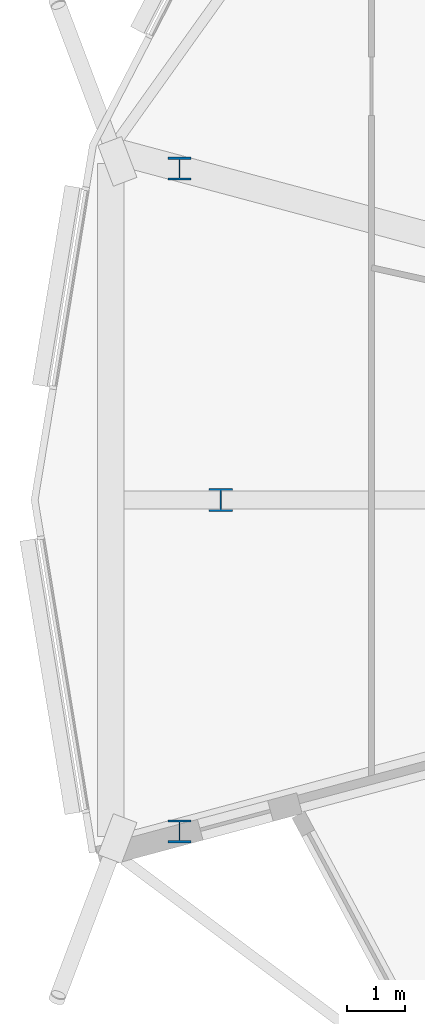
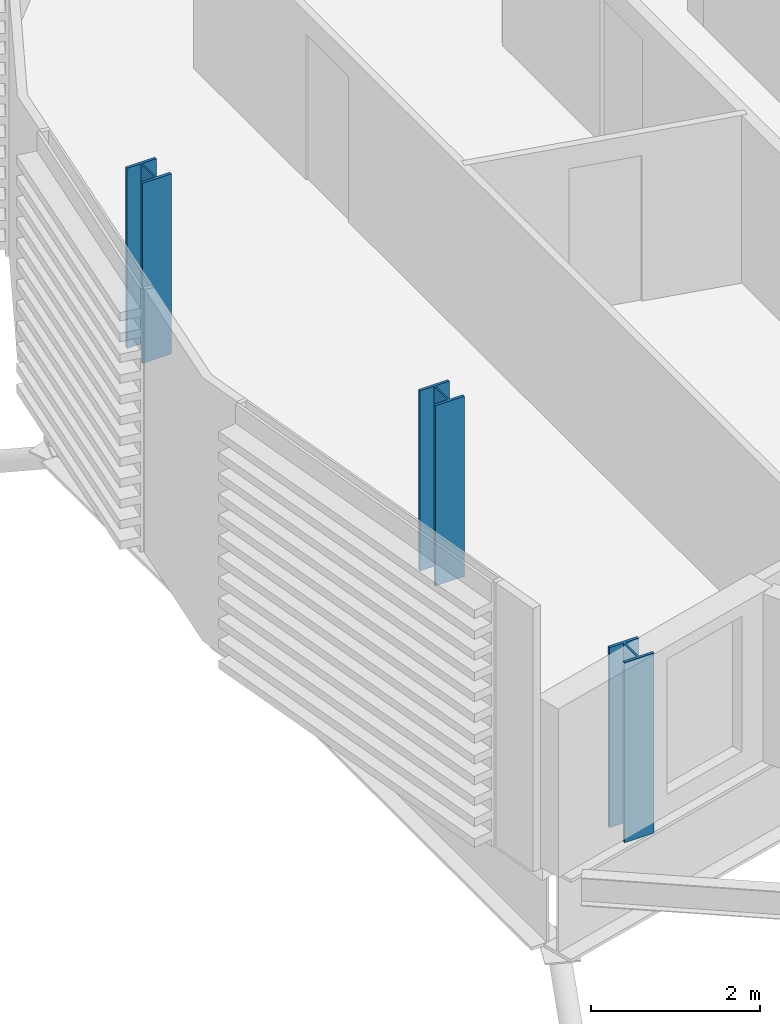
# One storey, part 1 of 40: 3 columns.
"""IFC4 building model written with IfcOpenShell, lengths in metres."""

from ifc_helpers import new_model, si_unit, direction, frame, origin, origin_2d, place, context, subcontext, project, spatial, i_section, extrude, material, material_profile, profile_set, type_object, element, save


model = new_model("IFC4")

# Units and contexts
model_context = context("Model", 3, precision=1e-05, world=origin(), true_north=direction((0.0, 1.0)))
body_context = subcontext(model_context, "Body", "Model", "MODEL_VIEW")
ifc_project = project(units=[si_unit("LENGTHUNIT", "METRE"), si_unit("AREAUNIT", "SQUARE_METRE"), si_unit("VOLUMEUNIT", "CUBIC_METRE"), si_unit("PLANEANGLEUNIT", "RADIAN"), si_unit("MASSUNIT", "GRAM", prefix="KILO")], contexts=[model_context])

# Site, building, storey
site_placement = place(None, origin())
site = spatial("IfcSite", under=ifc_project, at=site_placement, CompositionType="ELEMENT")
building_placement = place(site_placement, origin())
building = spatial("IfcBuilding", under=site, at=building_placement, Name="Rimbun Link Towers", CompositionType="ELEMENT")
storey_placement = place(building_placement, frame((0.0, 0.0, 89.199951171875)))
storey = spatial("IfcBuildingStorey", under=building, at=storey_placement, Name="L21", CompositionType="ELEMENT", Elevation=89.199951171875)

# Columns
ifc_material = material(Name="Steel S355J2", Category="steel")
ifc_material_profile = material_profile(ifc_material, i_section(OverallWidth=0.39892578125, OverallDepth=0.3935546875, WebThickness=0.022705078125, FlangeThickness=0.03662109375, at=origin_2d()), Name="UC 356x406x287")
ifc_profile_set = profile_set([ifc_material_profile], Name="Steel S355J2")
column_type = type_object("IfcColumnType", Name="UC 356x406x287", PredefinedType="COLUMN", material=ifc_profile_set)
for number, where, z_axis, x_axis, name in (
    (1, (-53.023193359375, 5.7001953125, -0.159912109375), (0.0, 0.0, 1.0), (1.0, 0.0, 0.0), "Crease post T1 L21 11"),
    (2, (-52.316650390625, 0.0, -0.159912109375), (0.0, 0.0, 1.0), (1.0, 0.0, 0.0), "Crease post T1 L21 12"),
    (3, (-53.023193359375, -5.7001953125, -0.159912109375), (0.0, 0.0, 1.0), (1.0, 0.0, 0.0), "Crease post T1 L21 13"),
):
    element("IfcColumn", number, at=place(storey_placement, frame(where, z_axis=z_axis, x_axis=x_axis)), inside=storey, type_object=column_type, Name=name, PredefinedType="COLUMN", context=body_context, shape_type="SweptSolid", body=[
        extrude(i_section(OverallWidth=0.39892578125, OverallDepth=0.3935546875, WebThickness=0.022705078125, FlangeThickness=0.03662109375, at=origin_2d()), origin(), (0.0, 0.0, 1.0), 2.599853515625),
    ])

save(model, "model.ifc")
